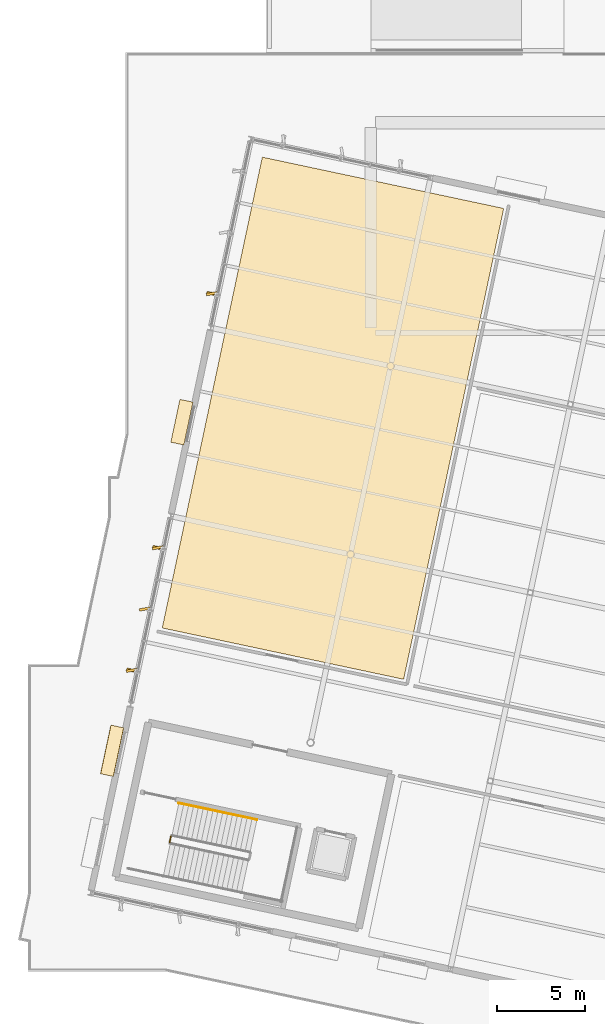
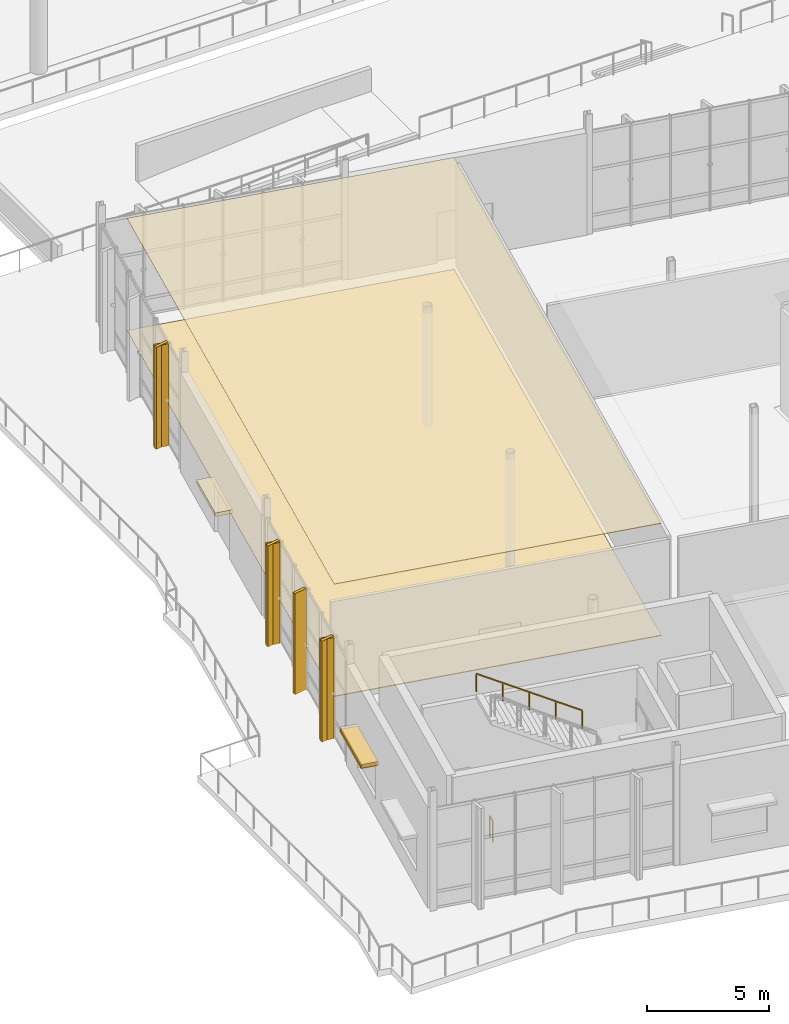
# One storey, part 150 of 163: 7 coverings, 5 shading devices, 2 railings.
"""IFC4 building model written with IfcOpenShell, lengths in metres."""

from ifc_helpers import new_model, si_unit, direction, frame, origin, origin_2d, place, context, subcontext, project, spatial, polyline, rectangle, outline, extrude, material, layer, layer_set, type_object, element, save


model = new_model("IFC4")

# Units and contexts
model_context = context("Model", 3, precision=1e-05, world=origin(), true_north=direction((0.0, 1.0)))
body_context = subcontext(model_context, "Body", "Model", "MODEL_VIEW")
ifc_project = project(units=[si_unit("LENGTHUNIT", "METRE"), si_unit("AREAUNIT", "SQUARE_METRE"), si_unit("VOLUMEUNIT", "CUBIC_METRE"), si_unit("PLANEANGLEUNIT", "RADIAN"), si_unit("MASSUNIT", "GRAM", prefix="KILO")], contexts=[model_context])

# Site, building, storey
site_placement = place(None, origin())
site = spatial("IfcSite", under=ifc_project, at=site_placement, CompositionType="ELEMENT")
building_placement = place(site_placement, origin())
building = spatial("IfcBuilding", under=site, at=building_placement, Name="Khorjan Park Terminus", CompositionType="ELEMENT")
storey_placement = place(building_placement, origin())
storey = spatial("IfcBuildingStorey", under=building, at=storey_placement, Name="L00", CompositionType="ELEMENT", Elevation=0.0)

# Coverings
ifc_material_1 = material(Name="Perforated Acoustic Aluminium Baffle Ceiling", Category="aluminium")
ifc_layer_1 = layer(ifc_material_1, 0.03)
ifc_layer_set_1 = layer_set([ifc_layer_1], Name="Perforated Acoustic Aluminium Baffle Ceiling")
covering_type_1 = type_object("IfcCoveringType", Name="CV-CLG-ACS", PredefinedType="CEILING", material=ifc_layer_set_1)
covering_1_placement = place(storey_placement, frame((0.0, 0.0, 5.615)))
element("IfcCovering", 1, at=covering_1_placement, inside=storey, type_object=covering_type_1, Name="Flush acoustic baffle ceiling AC-60 (L00-PAV-CAF)", PredefinedType="CEILING", context=body_context, shape_type="SweptSolid", body=[
    extrude(outline(polyline([(11.8771, 54.1997), (-1.9148, 57.1313), (3.8029, 84.0304), (17.5947, 81.0987), (11.8771, 54.1997)])), origin(), (0.0, 0.0, 1.0), 0.03),
])
ifc_material_2 = material(Name="Pigmented Precast GRC", Category="concrete")
ifc_layer_2 = layer(ifc_material_2, 0.16)
ifc_layer_set_2 = layer_set([ifc_layer_2], Name="Pigmented Precast GRC")
covering_type_2 = type_object("IfcCoveringType", Name="CV-FIN-GRC", PredefinedType="CLADDING", material=ifc_layer_set_2)
covering_2_placement = place(storey_placement, frame((0.9131, 76.2307, -0.02), z_axis=(0.0, 0.0, 1.0), x_axis=(0.978147600734, -0.207911690818, 0.0)))
element("IfcCovering", 2, at=covering_2_placement, inside=storey, type_object=covering_type_2, Name="Projecting desert-sandstone GRC facade fin CL-FN1 (CW-V4-W-L00-B01-5)", PredefinedType="CLADDING", context=body_context, shape_type="SweptSolid", body=[
    extrude(rectangle(XDim=0.58, YDim=0.16, at=origin_2d()), origin(), (0.0, 0.0, 1.0), 5.105),
])
for number, where, z_axis, x_axis, name in (
    (3, (-2.1724, 61.7148, -0.02), (0.0, 0.0, 1.0), (0.978147600734, -0.207911690818, 0.0), "Projecting desert-sandstone GRC facade fin CL-FN1 (CW-V4-W-L00-B03-1)"),
    (4, (-3.661, 54.7117, -0.02), (0.0, 0.0, 1.0), (0.978147600734, -0.207911690818, 0.0), "Projecting desert-sandstone GRC facade fin CL-FN1 (CW-V4-W-L00-B03-5)"),
):
    element("IfcCovering", number, at=place(storey_placement, frame(where, z_axis=z_axis, x_axis=x_axis)), inside=storey, type_object=covering_type_2, Name=name, PredefinedType="CLADDING", context=body_context, shape_type="SweptSolid", body=[
        extrude(rectangle(XDim=0.58, YDim=0.16, at=origin_2d()), origin(), (0.0, 0.0, 1.0), 5.055),
    ])
ifc_material_3 = material(Name="Polished Desert Limestone Terrazzo", Category="masonry")
ifc_layer_3 = layer(ifc_material_3, 0.035)
ifc_layer_set_3 = layer_set([ifc_layer_3], Name="Polished Desert Limestone Terrazzo")
covering_type_3 = type_object("IfcCoveringType", Name="CV-FLR-TRZ", PredefinedType="FLOORING", material=ifc_layer_set_3)
covering_3_placement = place(storey_placement, origin())
element("IfcCovering", 5, at=covering_3_placement, inside=storey, type_object=covering_type_3, Name="Architectural floor finish FF-TRZ (L00-PAV-CAF)", PredefinedType="FLOORING", context=body_context, shape_type="SweptSolid", body=[
    extrude(outline(polyline([(11.8771, 54.1997), (-1.9148, 57.1313), (3.8029, 84.0304), (17.5947, 81.0987), (11.8771, 54.1997)])), origin(), (0.0, 0.0, 1.0), 0.035),
])
ifc_layer_4 = layer(ifc_material_2, 0.18)
ifc_layer_set_4 = layer_set([ifc_layer_4], Name="Pigmented Precast GRC")
covering_type_4 = type_object("IfcCoveringType", Name="CV-HOOD-GRC", PredefinedType="CLADDING", material=ifc_layer_set_4)
covering_4_placement = place(storey_placement, frame((-0.7905, 68.8896, 2.41), z_axis=(0.0, 0.0, 1.0), x_axis=(-0.207904284084, -0.978149175054, 0.0)))
element("IfcCovering", 6, at=covering_4_placement, inside=storey, type_object=covering_type_4, Name="Projecting pigmented-GRC entrance canopy hood CL-HD1 (EW-V4-W-L00-B02)", PredefinedType="CLADDING", context=body_context, shape_type="SweptSolid", body=[
    extrude(rectangle(XDim=2.5, YDim=0.76, at=origin_2d()), origin(), (0.0, 0.0, 1.0), 0.18),
])
covering_5_placement = place(storey_placement, frame((-4.7759, 50.1156, 2.73), z_axis=(0.0, 0.0, 1.0), x_axis=(-0.207913167485, -0.978147286857, 0.0)))
element("IfcCovering", 7, at=covering_5_placement, inside=storey, type_object=covering_type_4, Name="Projecting desert-sandstone GRC window eyebrow CL-HD1 (EW-V4-W-L00-B04-1)", PredefinedType="CLADDING", context=body_context, shape_type="SweptSolid", body=[
    extrude(rectangle(XDim=2.84, YDim=0.74, at=origin_2d()), origin(), (0.0, 0.0, 1.0), 0.16),
])

# Railings
ifc_material_4 = material(Name="Steel S355", Category="steel")
railing_type_1 = type_object("IfcRailingType", Name="GR-112", PredefinedType="GUARDRAIL", material=ifc_material_4)
railing_1_placement = place(storey_placement, frame((-1.4936, 44.8759, 0.0)))
element("IfcRailing", 8, at=railing_1_placement, inside=storey, type_object=railing_type_1, Name="L00 ST-08 stair guard 6", PredefinedType="GUARDRAIL", context=body_context, shape_type="SweptSolid", body=[
    extrude(rectangle(XDim=0.048, YDim=0.048, at=origin_2d()), frame((0.0, 0.0, 1.096), z_axis=(0.207802271349, 0.978170852164, 0.0), x_axis=(-0.978170852164, 0.207802271349, 0.0)), (0.0, 0.0, 1.0), 0.36),
    extrude(rectangle(XDim=0.042, YDim=0.042, at=origin_2d()), origin(), (0.0, 0.0, 1.0), 1.072),
    extrude(rectangle(XDim=0.042, YDim=0.042, at=origin_2d()), frame((0.0748, 0.3521, 0.0)), (0.0, 0.0, 1.0), 1.072),
])
railing_type_2 = type_object("IfcRailingType", Name="HR-92", PredefinedType="HANDRAIL", material=ifc_material_4)
railing_2_placement = place(storey_placement, frame((3.4959, 46.1769, 3.1765)))
element("IfcRailing", 9, at=railing_2_placement, inside=storey, type_object=railing_type_2, Name="L00 ST-08 stair handrail 2", PredefinedType="HANDRAIL", context=body_context, shape_type="SweptSolid", body=[
    extrude(rectangle(XDim=0.048, YDim=0.048, at=origin_2d()), frame((0.0, 0.0, 0.896), z_axis=(-0.83162866575, 0.176774463152, 0.526445202732), x_axis=(-0.207918818, -0.978146085777, 0.0)), (0.0, 0.0, 1.0), 5.3633),
    extrude(rectangle(XDim=0.042, YDim=0.042, at=origin_2d()), origin(), (0.0, 0.0, 1.0), 0.872),
    extrude(rectangle(XDim=0.042, YDim=0.042, at=origin_2d()), frame((-1.1151, 0.237, 0.7059)), (0.0, 0.0, 1.0), 0.872),
    extrude(rectangle(XDim=0.042, YDim=0.042, at=origin_2d()), frame((-2.2302, 0.474, 1.4118)), (0.0, 0.0, 1.0), 0.872),
    extrude(rectangle(XDim=0.042, YDim=0.042, at=origin_2d()), frame((-3.3452, 0.7111, 2.1176)), (0.0, 0.0, 1.0), 0.872),
    extrude(rectangle(XDim=0.042, YDim=0.042, at=origin_2d()), frame((-4.4603, 0.9481, 2.8235)), (0.0, 0.0, 1.0), 0.872),
])

# Shading devices
ifc_material_5 = material(Name="Anodized Bronze Aluminium", Category="aluminium")
shading_device_type_1 = type_object("IfcShadingDeviceType", Name="SD-FIN-620", PredefinedType="JALOUSIE", material=ifc_material_5)
shading_device_1_placement = place(storey_placement, frame((0.9131, 76.2307, -0.02), z_axis=(0.0, 0.0, 1.0), x_axis=(0.984807753012, 0.173648177667, 0.0)))
element("IfcShadingDevice", 10, at=shading_device_1_placement, inside=storey, type_object=shading_device_type_1, Name="Angled solar brise-soleil fin SF-62 (CW-V4-W-L00-B01-5)", PredefinedType="JALOUSIE", context=body_context, shape_type="SweptSolid", body=[
    extrude(rectangle(XDim=0.62, YDim=0.14, at=origin_2d()), origin(), (0.0, 0.0, 1.0), 5.105),
])
for number, where, z_axis, x_axis, name in (
    (11, (-2.1724, 61.7148, -0.02), (0.0, 0.0, 1.0), (0.984807753012, 0.173648177667, 0.0), "Angled solar brise-soleil fin SF-62 (CW-V4-W-L00-B03-1)"),
    (12, (-2.9166, 58.2132, -0.02), (0.0, 0.0, 1.0), (0.984807753012, 0.173648177667, 0.0), "Angled solar brise-soleil fin SF-62 (CW-V4-W-L00-B03-3)"),
    (13, (-3.661, 54.7117, -0.02), (0.0, 0.0, 1.0), (0.984807753012, 0.173648177667, 0.0), "Angled solar brise-soleil fin SF-62 (CW-V4-W-L00-B03-5)"),
):
    element("IfcShadingDevice", number, at=place(storey_placement, frame(where, z_axis=z_axis, x_axis=x_axis)), inside=storey, type_object=shading_device_type_1, Name=name, PredefinedType="JALOUSIE", context=body_context, shape_type="SweptSolid", body=[
        extrude(rectangle(XDim=0.62, YDim=0.14, at=origin_2d()), origin(), (0.0, 0.0, 1.0), 5.055),
    ])
shading_device_type_2 = type_object("IfcShadingDeviceType", Name="SD-SUN-750", PredefinedType="SHUTTER", material=ifc_material_5)
shading_device_2_placement = place(storey_placement, frame((-4.7759, 50.1156, 2.66), z_axis=(0.0, 0.0, 1.0), x_axis=(-0.207913167485, -0.978147286857, 0.0)))
element("IfcShadingDevice", 14, at=shading_device_2_placement, inside=storey, type_object=shading_device_type_2, Name="Projecting solar overhang hood SH-75 (EW-V4-W-L00-B04-1)", PredefinedType="SHUTTER", context=body_context, shape_type="SweptSolid", body=[
    extrude(rectangle(XDim=2.76, YDim=0.76, at=origin_2d()), origin(), (0.0, 0.0, 1.0), 0.14),
])

save(model, "model.ifc")
